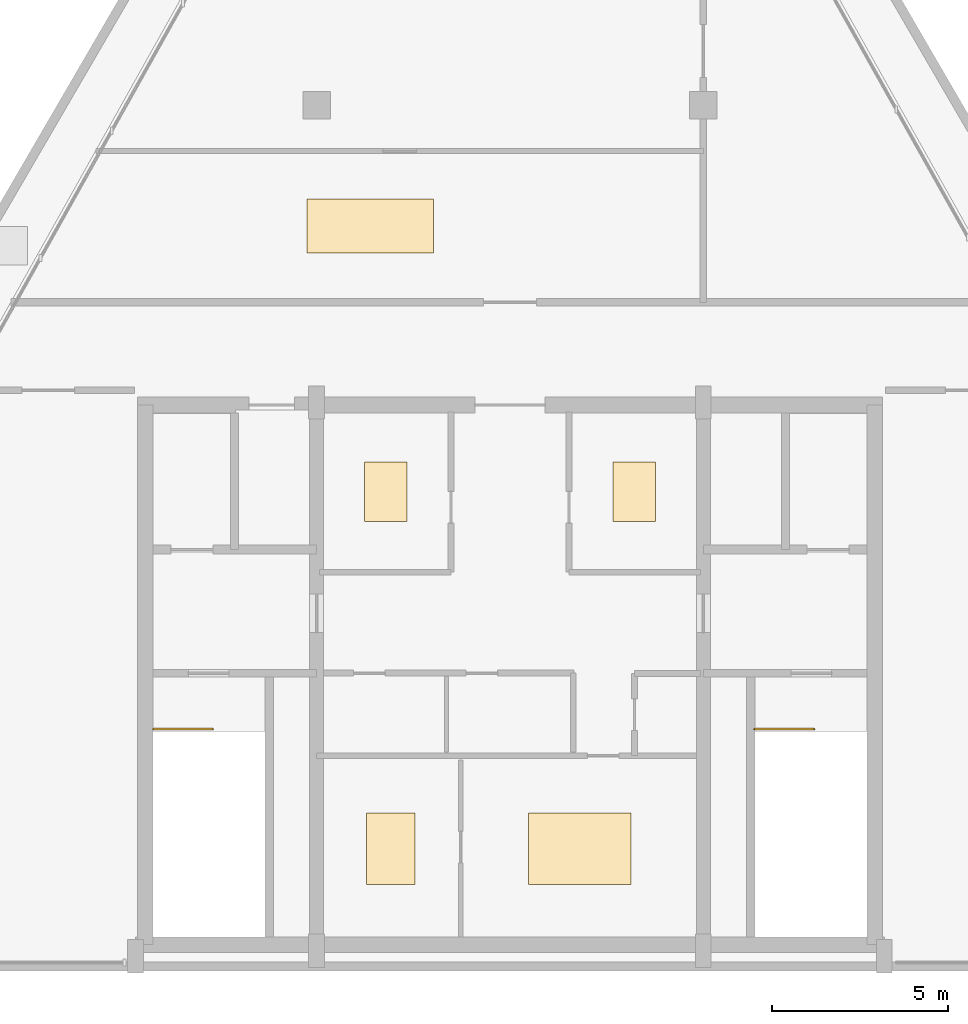
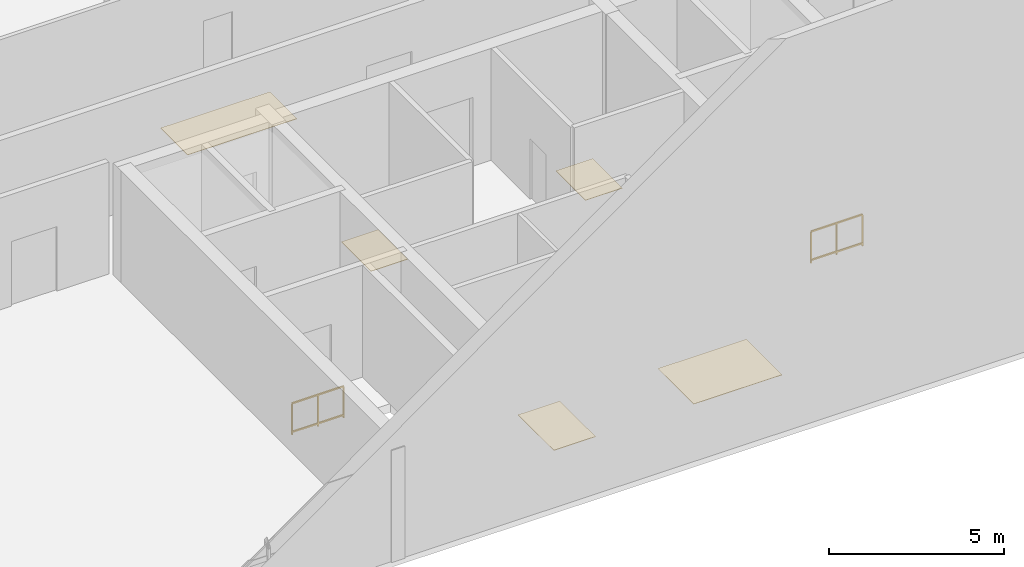
# One storey, part 8 of 8: 5 coverings, 2 railings.
"""IFC4 building model written with IfcOpenShell, lengths in metres."""

from ifc_helpers import new_model, si_unit, direction, frame, origin, origin_2d, place, context, subcontext, project, spatial, rectangle, extrude, source, transform, mapped, material, layer, layer_set, type_object, element, save


model = new_model("IFC4")

# Units and contexts
model_context = context("Model", 3, precision=1e-05, world=origin(), true_north=direction((0.0, 1.0)))
body_context = subcontext(model_context, "Body", "Model", "MODEL_VIEW")
ifc_project = project(units=[si_unit("LENGTHUNIT", "METRE"), si_unit("AREAUNIT", "SQUARE_METRE"), si_unit("VOLUMEUNIT", "CUBIC_METRE"), si_unit("PLANEANGLEUNIT", "RADIAN"), si_unit("MASSUNIT", "GRAM", prefix="KILO")], contexts=[model_context])

# Site, building, storey
site_placement = place(None, origin())
site = spatial("IfcSite", under=ifc_project, at=site_placement, CompositionType="ELEMENT")
building_placement = place(site_placement, origin())
building = spatial("IfcBuilding", under=site, at=building_placement, Name="Varnakhor Terracotta Tower", CompositionType="ELEMENT")
storey_placement = place(building_placement, frame((0.0, 0.0, 329.199951171875)))
storey = spatial("IfcBuildingStorey", under=building, at=storey_placement, Name="L86 Crown", CompositionType="ELEMENT", Elevation=329.199951171875)

# Railings
ifc_material_1 = material(Name="Painted Steel Stairwell Guardrail", Category="steel")
railing_type = type_object("IfcRailingType", Name="RLG-STAIR-GUARD-1120", PredefinedType="GUARDRAIL", material=ifc_material_1)
for number, where, name in (
    (1, (-10.14990234375, 6.760009765625, 0.0), "L86 Crown ST-1 top well guard 1"),
    (2, (6.949951171875, 6.760009765625, 0.0), "L86 Crown ST-2 top well guard 1"),
):
    element("IfcRailing", number, at=place(storey_placement, frame(where)), inside=storey, type_object=railing_type, Name=name, PredefinedType="GUARDRAIL", context=body_context, shape_type="SweptSolid", body=[
        extrude(rectangle(XDim=0.048095703125, YDim=0.048095703125, at=origin_2d()), frame((0.0, 0.0, 1.09619140625), z_axis=(1.0, 0.0, 0.0), x_axis=(0.0, 1.0, 0.0)), (0.0, 0.0, 1.0), 1.699951171875),
        extrude(rectangle(XDim=0.048095703125, YDim=0.048095703125, at=origin_2d()), frame((0.0, 0.0, 0.10009765625), z_axis=(1.0, 0.0, 0.0), x_axis=(0.0, 1.0, 0.0)), (0.0, 0.0, 1.0), 1.699951171875),
        extrude(rectangle(XDim=0.0419921875, YDim=0.0419921875, at=origin_2d()), origin(), (0.0, 0.0, 1.0), 1.072021484375),
        extrude(rectangle(XDim=0.0419921875, YDim=0.0419921875, at=origin_2d()), frame((0.85009765625, 0.0, 0.0)), (0.0, 0.0, 1.0), 1.072021484375),
        extrude(rectangle(XDim=0.0419921875, YDim=0.0419921875, at=origin_2d()), frame((1.699951171875, 0.0, 0.0)), (0.0, 0.0, 1.0), 1.072021484375),
    ])

# Coverings
ifc_material_2 = material(Name="Insulated Elastomeric Waterproof Roofing Membrane", Category="other")
ifc_layer = layer(ifc_material_2, 0.034912109375, Name="Insulated Elastomeric Waterproof Roofing Membrane")
ifc_layer_set = layer_set([ifc_layer], Name="Insulated Elastomeric Waterproof Roofing Membrane")
covering_type = type_object("IfcCoveringType", Name="COV-ROOF-MEMBRANE", PredefinedType="ROOFING", material=ifc_layer_set)
shared_shape_1 = source(origin(), body_context, "Body", "SweptSolid", [
    extrude(rectangle(XDim=1.375, YDim=2.041015625, at=origin_2d()), origin(), (0.0, 0.0, 1.0), 0.014892578125),
])
covering_1_placement = place(storey_placement, frame((-3.389892578125, 3.35498046875, 0.0), z_axis=(0.0, 0.0, 1.0), x_axis=(1.0, 0.0, 0.0)))
element("IfcCovering", 3, at=covering_1_placement, inside=storey, type_object=covering_type, Name="L86 Crown Waterproof Plant Membrane 1", PredefinedType="ROOFING", context=body_context, shape_type="MappedRepresentation", body=[
    mapped(shared_shape_1, transform((0.0, 0.0, 0.0), scale=1.0)),
])
shared_shape_2 = source(origin(), body_context, "Body", "SweptSolid", [
    extrude(rectangle(XDim=2.9150390625, YDim=2.041015625, at=origin_2d()), origin(), (0.0, 0.0, 1.0), 0.014892578125),
])
covering_2_placement = place(storey_placement, frame((1.989990234375, 3.35498046875, 0.0), z_axis=(0.0, 0.0, 1.0), x_axis=(1.0, 0.0, 0.0)))
element("IfcCovering", 4, at=covering_2_placement, inside=storey, type_object=covering_type, Name="L86 Crown Waterproof Plant Membrane 2", PredefinedType="ROOFING", context=body_context, shape_type="MappedRepresentation", body=[
    mapped(shared_shape_2, transform((0.0, 0.0, 0.0), scale=1.0)),
])
shared_shape_3 = source(origin(), body_context, "Body", "SweptSolid", [
    extrude(rectangle(XDim=1.215087890625, YDim=1.694091796875, at=origin_2d()), origin(), (0.0, 0.0, 1.0), 0.014892578125),
])
for number, where, z_axis, x_axis, name in (
    (5, (-3.534912109375, 13.510009765625, 0.0), (0.0, 0.0, 1.0), (1.0, 0.0, 0.0), "L86 Crown Waterproof Plant Membrane 3"),
    (6, (3.534912109375, 13.510009765625, 0.0), (0.0, 0.0, 1.0), (1.0, 0.0, 0.0), "L86 Crown Waterproof Plant Membrane 4"),
):
    element("IfcCovering", number, at=place(storey_placement, frame(where, z_axis=z_axis, x_axis=x_axis)), inside=storey, type_object=covering_type, Name=name, PredefinedType="ROOFING", context=body_context, shape_type="MappedRepresentation", body=[
        mapped(shared_shape_3, transform((0.0, 0.0, 0.0), scale=1.0)),
    ])
shared_shape_4 = source(origin(), body_context, "Body", "SweptSolid", [
    extrude(rectangle(XDim=3.60009765625, YDim=1.5439453125, at=origin_2d()), origin(), (0.0, 0.0, 1.0), 0.014892578125),
])
covering_3_placement = place(storey_placement, frame((-3.97802734375, 21.070068359375, 0.0), z_axis=(0.0, 0.0, 1.0), x_axis=(1.0, 0.0, 0.0)))
element("IfcCovering", 7, at=covering_3_placement, inside=storey, type_object=covering_type, Name="L86 Crown Waterproof Plant Membrane 5", PredefinedType="ROOFING", context=body_context, shape_type="MappedRepresentation", body=[
    mapped(shared_shape_4, transform((0.0, 0.0, 0.0), scale=1.0)),
])

save(model, "model.ifc")
